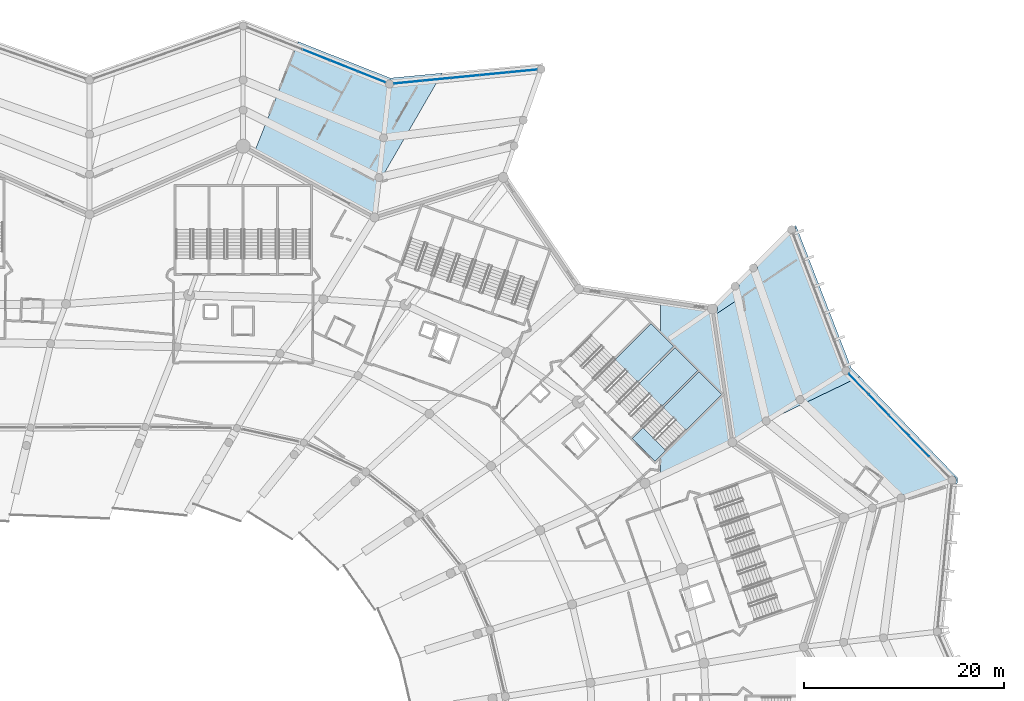
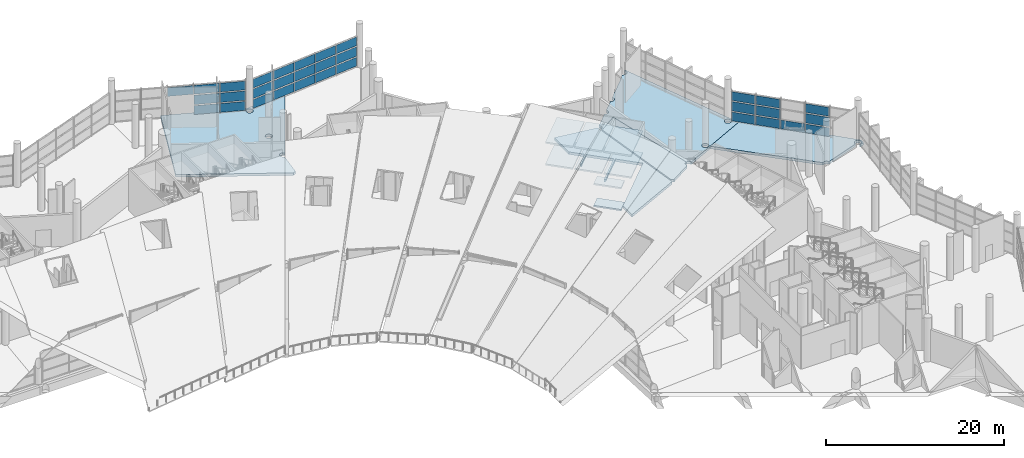
# One storey, part 134 of 249: 32 plates, 13 slabs, 6 elements without a shape of their own.
"""IFC4 building model written with IfcOpenShell, lengths in metres."""

from ifc_helpers import new_model, si_unit, direction, frame, origin, origin_2d, place, context, subcontext, project, spatial, polyline, rectangle, outline, extrude, material, layer, layer_set, type_object, element, aggregate, save


model = new_model("IFC4")

# Units and contexts
model_context = context("Model", 3, precision=1e-05, world=origin(), true_north=direction((0.0, 1.0)))
body_context = subcontext(model_context, "Body", "Model", "MODEL_VIEW")
ifc_project = project(units=[si_unit("LENGTHUNIT", "METRE"), si_unit("AREAUNIT", "SQUARE_METRE"), si_unit("VOLUMEUNIT", "CUBIC_METRE"), si_unit("PLANEANGLEUNIT", "RADIAN"), si_unit("MASSUNIT", "GRAM", prefix="KILO")], contexts=[model_context])

# Site, building, storey
site_placement = place(None, origin())
site = spatial("IfcSite", under=ifc_project, at=site_placement, CompositionType="ELEMENT")
building_placement = place(site_placement, origin())
building = spatial("IfcBuilding", under=site, at=building_placement, Name="Meseta Stadium", CompositionType="ELEMENT")
storey_placement = place(building_placement, frame((0.0, 0.0, 12.0)))
storey = spatial("IfcBuildingStorey", under=building, at=storey_placement, Name="L02", CompositionType="ELEMENT", Elevation=12.0)

# Slabs
ifc_material_1 = material(Name="Concrete C40/50", Category="concrete")
ifc_layer_1 = layer(ifc_material_1, 0.35009765625)
ifc_layer_set_1 = layer_set([ifc_layer_1], Name="Floor slab 350")
slab_type_1 = type_object("IfcSlabType", Name="Floor slab 350", PredefinedType="FLOOR", material=ifc_layer_set_1)
slab_1_placement = place(storey_placement, frame((0.0, 0.0, -0.35009765625)))
element("IfcSlab", 1, at=slab_1_placement, inside=storey, type_object=slab_type_1, Name="Floor slab L02 sector 07 panel 12", PredefinedType="FLOOR", context=body_context, shape_type="SweptSolid", body=[
    extrude(outline(polyline([(86.093017578125, 80.61767578125), (80.0, 74.524658203125), (80.0, 72.48828125), (87.15087890625, 75.856689453125), (85.173583984375, 89.173583984375), (80.0, 89.94189453125), (80.0, 86.710693359375), (81.28466796875, 85.426025390625), (80.0, 84.141357421875), (80.0, 83.858642578125), (81.426025390625, 85.28466796875), (83.688720703125, 83.02197265625), (80.6669921875, 80.0), (80.94970703125, 80.0), (83.830078125, 82.880615234375), (86.093017578125, 80.61767578125)])), origin(), (0.0, 0.0, 1.0), 0.35009765625),
])
slab_2_placement = place(storey_placement, frame((0.0, 0.0, -0.35009765625)))
element("IfcSlab", 2, at=slab_2_placement, inside=storey, type_object=slab_type_1, Name="Ring floor slab L02 2 panel 04", PredefinedType="FLOOR", context=body_context, shape_type="SweptSolid", body=[
    extrude(outline(polyline([(51.323974609375, 98.73291015625), (51.44140625, 98.748291015625), (51.491943359375, 98.74169921875), (51.844482421875, 101.87158203125), (51.784912109375, 101.879638671875), (51.6875, 101.919921875), (51.60400390625, 101.98388671875), (51.539794921875, 102.0673828125), (51.49951171875, 102.164794921875), (51.48583984375, 102.269287109375), (51.49951171875, 102.373779296875), (51.539794921875, 102.470947265625), (51.60400390625, 102.554443359375), (51.6875, 102.61865234375), (51.784912109375, 102.658935546875), (51.889404296875, 102.672607421875), (51.993896484375, 102.658935546875), (52.091064453125, 102.61865234375), (52.174560546875, 102.554443359375), (52.23876953125, 102.470947265625), (52.25732421875, 102.426025390625), (58.19482421875, 112.697998046875), (53.009033203125, 112.206298828125), (43.822509765625, 115.8330078125), (39.49951171875, 104.9384765625), (51.138671875, 98.629150390625), (51.214599609375, 98.6875), (51.323974609375, 98.73291015625)]), holes=[polyline([(52.538330078125, 111.610107421875), (52.552001953125, 111.714599609375), (52.59228515625, 111.81201171875), (52.656494140625, 111.8955078125), (52.739990234375, 111.959716796875), (52.83740234375, 112.0), (52.94189453125, 112.013671875), (53.046142578125, 112.0), (53.1435546875, 111.959716796875), (53.22705078125, 111.8955078125), (53.291259765625, 111.81201171875), (53.33154296875, 111.714599609375), (53.34521484375, 111.610107421875), (53.33154296875, 111.505615234375), (53.291259765625, 111.408447265625), (53.22705078125, 111.324951171875), (53.1435546875, 111.2607421875), (53.046142578125, 111.220458984375), (52.94189453125, 111.206787109375), (52.83740234375, 111.220458984375), (52.739990234375, 111.2607421875), (52.656494140625, 111.324951171875), (52.59228515625, 111.408447265625), (52.552001953125, 111.505615234375), (52.538330078125, 111.610107421875)]), polyline([(52.052001953125, 106.529296875), (52.135498046875, 106.593505859375), (52.23291015625, 106.6337890625), (52.337158203125, 106.647705078125), (52.441650390625, 106.6337890625), (52.538818359375, 106.593505859375), (52.62255859375, 106.529296875), (52.6865234375, 106.44580078125), (52.726806640625, 106.348388671875), (52.740478515625, 106.244140625), (52.726806640625, 106.1396484375), (52.6865234375, 106.04248046875), (52.62255859375, 105.958740234375), (52.538818359375, 105.894775390625), (52.441650390625, 105.8544921875), (52.337158203125, 105.8408203125), (52.23291015625, 105.8544921875), (52.135498046875, 105.894775390625), (52.052001953125, 105.958740234375), (51.98779296875, 106.04248046875), (51.947509765625, 106.1396484375), (51.93359375, 106.244140625), (51.947509765625, 106.348388671875), (51.98779296875, 106.44580078125), (52.052001953125, 106.529296875)])]), origin(), (0.0, 0.0, 1.0), 0.35009765625),
])
slab_3_placement = place(storey_placement, frame((0.0, 0.0, -0.35009765625)))
element("IfcSlab", 3, at=slab_3_placement, inside=storey, type_object=slab_type_1, Name="Ring floor slab L02 1 part 1 panel 01", PredefinedType="FLOOR", context=body_context, shape_type="SweptSolid", body=[
    extrude(outline(polyline([(90.447021484375, 78.37646484375), (87.729248046875, 90.11767578125), (85.4169921875, 88.556640625), (87.23681640625, 76.29931640625), (87.268310546875, 76.295166015625), (87.377685546875, 76.249755859375), (87.4716796875, 76.177734375), (87.533447265625, 76.097412109375), (90.197509765625, 77.771240234375), (90.188232421875, 77.783203125), (90.14794921875, 77.880615234375), (90.13427734375, 77.98486328125), (90.14794921875, 78.08935546875), (90.188232421875, 78.1865234375), (90.25244140625, 78.270263671875), (90.3359375, 78.334228515625), (90.433349609375, 78.37451171875), (90.447021484375, 78.37646484375)])), origin(), (0.0, 0.0, 1.0), 0.35009765625),
])
slab_4_placement = place(storey_placement, frame((0.0, 0.0, -0.35009765625)))
element("IfcSlab", 4, at=slab_4_placement, inside=storey, type_object=slab_type_1, Name="Ring floor slab L02 1 part 1 panel 02", PredefinedType="FLOOR", context=body_context, shape_type="SweptSolid", body=[
    extrude(outline(polyline([(89.052978515625, 92.905517578125), (89.003173828125, 92.94384765625), (87.7373046875, 91.67822265625), (87.77587890625, 91.628173828125), (87.816162109375, 91.53076171875), (87.829833984375, 91.426513671875), (87.816162109375, 91.322021484375), (87.77587890625, 91.224609375), (87.711669921875, 91.14111328125), (87.628173828125, 91.076904296875), (87.53076171875, 91.03662109375), (87.426513671875, 91.02294921875), (87.322021484375, 91.03662109375), (87.224609375, 91.076904296875), (87.174560546875, 91.115478515625), (85.555908203125, 89.496826171875), (85.610595703125, 89.42578125), (85.660888671875, 89.30419921875), (85.677978515625, 89.173583984375), (85.660888671875, 89.043212890625), (85.610595703125, 88.921630859375), (85.5302734375, 88.817138671875), (85.42578125, 88.737060546875), (85.392333984375, 88.722900390625), (85.4169921875, 88.556640625), (87.729248046875, 90.11767578125), (90.447021484375, 78.37646484375), (90.53759765625, 78.38818359375), (90.64208984375, 78.37451171875), (90.739501953125, 78.334228515625), (90.822998046875, 78.270263671875), (90.88720703125, 78.1865234375), (90.924560546875, 78.09619140625), (99.877197265625, 82.401611328125), (99.0048828125, 83.30517578125), (93.49755859375, 97.49755859375), (93.3583984375, 97.3583984375), (93.422607421875, 97.27490234375), (93.462890625, 97.177490234375), (93.476806640625, 97.0732421875), (93.462890625, 96.96875), (93.422607421875, 96.87158203125), (93.3583984375, 96.787841796875), (93.27490234375, 96.723876953125), (93.217041015625, 96.69970703125), (93.177490234375, 96.68359375), (93.0732421875, 96.669921875), (92.96875, 96.68359375), (92.87158203125, 96.723876953125), (92.787841796875, 96.787841796875), (92.12841796875, 96.12841796875), (92.16064453125, 96.101318359375), (89.56591796875, 93.506591796875), (89.604248046875, 93.45654296875), (89.64453125, 93.359375), (89.658203125, 93.2548828125), (89.64453125, 93.150390625), (89.604248046875, 93.052978515625), (89.5400390625, 92.969482421875), (89.45654296875, 92.905517578125), (89.359375, 92.864990234375), (89.2548828125, 92.851318359375), (89.150390625, 92.864990234375), (89.052978515625, 92.905517578125)]), holes=[polyline([(94.327880859375, 80.113037109375), (94.314208984375, 80.008544921875), (94.27392578125, 79.911376953125), (94.2099609375, 79.82763671875), (94.126220703125, 79.763671875), (94.029052734375, 79.723388671875), (93.924560546875, 79.709716796875), (93.8203125, 79.723388671875), (93.722900390625, 79.763671875), (93.639404296875, 79.82763671875), (93.5751953125, 79.911376953125), (93.534912109375, 80.008544921875), (93.52099609375, 80.113037109375), (93.534912109375, 80.21728515625), (93.5751953125, 80.314697265625), (93.639404296875, 80.398193359375), (93.722900390625, 80.46240234375), (93.8203125, 80.502685546875), (93.924560546875, 80.5166015625), (94.029052734375, 80.502685546875), (94.126220703125, 80.46240234375), (94.2099609375, 80.398193359375), (94.27392578125, 80.314697265625), (94.314208984375, 80.21728515625), (94.327880859375, 80.113037109375)]), polyline([(98.7822265625, 83.271240234375), (98.84619140625, 83.187744140625), (98.88671875, 83.09033203125), (98.900390625, 82.986083984375), (98.88671875, 82.881591796875), (98.84619140625, 82.7841796875), (98.7822265625, 82.70068359375), (98.698486328125, 82.63671875), (98.601318359375, 82.59619140625), (98.496826171875, 82.58251953125), (98.392578125, 82.59619140625), (98.295166015625, 82.63671875), (98.211669921875, 82.70068359375), (98.1474609375, 82.7841796875), (98.107177734375, 82.881591796875), (98.093505859375, 82.986083984375), (98.107177734375, 83.09033203125), (98.1474609375, 83.187744140625), (98.211669921875, 83.271240234375), (98.295166015625, 83.33544921875), (98.392578125, 83.375732421875), (98.496826171875, 83.389404296875), (98.601318359375, 83.375732421875), (98.698486328125, 83.33544921875), (98.7822265625, 83.271240234375)])]), origin(), (0.0, 0.0, 1.0), 0.35009765625),
])
slab_5_placement = place(storey_placement, frame((0.0, 0.0, -0.35009765625)))
element("IfcSlab", 5, at=slab_5_placement, inside=storey, type_object=slab_type_1, Name="Ring floor slab L02 1 part 1 panel 05", PredefinedType="FLOOR", context=body_context, shape_type="SweptSolid", body=[
    extrude(outline(polyline([(104.094482421875, 70.681396484375), (104.191650390625, 70.64111328125), (104.275146484375, 70.576904296875), (104.33935546875, 70.493408203125), (104.3681640625, 70.423828125), (108.708740234375, 71.94287109375), (108.697265625, 71.970703125), (108.68359375, 72.0751953125), (108.697265625, 72.179443359375), (108.737548828125, 72.27685546875), (108.801513671875, 72.3603515625), (108.88525390625, 72.424560546875), (108.982421875, 72.46484375), (109.0869140625, 72.478515625), (109.19140625, 72.46484375), (109.28857421875, 72.424560546875), (109.372314453125, 72.3603515625), (109.436279296875, 72.27685546875), (109.4765625, 72.179443359375), (109.490478515625, 72.0751953125), (109.4765625, 71.970703125), (109.436279296875, 71.873291015625), (109.372314453125, 71.789794921875), (109.28857421875, 71.7255859375), (109.19140625, 71.685302734375), (109.0869140625, 71.671630859375), (109.048095703125, 71.6767578125), (109.03564453125, 71.54931640625), (109.601318359375, 71.726806640625), (109.6533203125, 72.273193359375), (99.877197265625, 82.401611328125), (94.31884765625, 79.728515625), (103.70166015625, 70.572998046875), (103.70458984375, 70.576904296875), (103.7880859375, 70.64111328125), (103.885498046875, 70.681396484375), (103.989990234375, 70.695068359375), (104.094482421875, 70.681396484375)])), origin(), (0.0, 0.0, 1.0), 0.35009765625),
])

# Curtain wall, plates
ifc_material_2 = material(Name="Aluminium", Category="aluminium")
ifc_layer_2 = layer(ifc_material_2, 0.199951171875)
ifc_layer_set_2 = layer_set([ifc_layer_2], Name="Ring shopfront curtain wall")
curtain_wall_type = type_object("IfcCurtainWallType", Name="Ring shopfront curtain wall", PredefinedType="NOTDEFINED", material=ifc_layer_set_2)
curtain_wall_1_placement = place(storey_placement, origin())
curtain_wall_1 = element("IfcCurtainWall", 6, at=curtain_wall_1_placement, inside=storey, type_object=curtain_wall_type, Name="Ring glazing L02 F10", PredefinedType="NOTDEFINED")
ifc_material_3 = material(Name="Glass", Category="glass")
ifc_layer_3 = layer(ifc_material_3, 0.035888671875)
ifc_layer_set_3 = layer_set([ifc_layer_3], Name="Ring CW glass panel 36")
plate_type = type_object("IfcPlateType", Name="Ring CW glass panel 36", PredefinedType="CURTAIN_PANEL", material=ifc_layer_set_3)
plate_1_placement = place(storey_placement, frame((105.79833984375, 75.463134765625, 0.14990234375), z_axis=(0.0, 0.0, 1.0), x_axis=(-0.6964727488, 0.717583242683, 0.0)))
plate_1 = element("IfcPlate", 7, at=plate_1_placement, type_object=plate_type, Name="CWR1 panel 2.1", PredefinedType="CURTAIN_PANEL", context=body_context, shape_type="SweptSolid", body=[
    extrude(rectangle(XDim=2.821044921875, YDim=0.035888671875, at=origin_2d()), origin(), (0.0, 0.0, 1.0), 1.208251953125),
])
plate_2_placement = place(storey_placement, frame((105.79833984375, 75.463134765625, 1.50830078125), z_axis=(0.0, 0.0, 1.0), x_axis=(-0.6964727488, 0.717583242683, 0.0)))
plate_2 = element("IfcPlate", 8, at=plate_2_placement, type_object=plate_type, Name="CWR1 panel 2.2", PredefinedType="CURTAIN_PANEL", context=body_context, shape_type="SweptSolid", body=[
    extrude(rectangle(XDim=2.821044921875, YDim=0.035888671875, at=origin_2d()), origin(), (0.0, 0.0, 1.0), 1.283447265625),
])
plate_3_placement = place(storey_placement, frame((105.79833984375, 75.463134765625, 2.94189453125), z_axis=(0.0, 0.0, 1.0), x_axis=(-0.6964727488, 0.717583242683, 0.0)))
plate_3 = element("IfcPlate", 9, at=plate_3_placement, type_object=plate_type, Name="CWR1 panel 2.3", PredefinedType="CURTAIN_PANEL", context=body_context, shape_type="SweptSolid", body=[
    extrude(rectangle(XDim=2.821044921875, YDim=0.035888671875, at=origin_2d()), origin(), (0.0, 0.0, 1.0), 1.208251953125),
])
plate_4_placement = place(storey_placement, frame((103.7919921875, 77.530517578125, 0.14990234375), z_axis=(0.0, 0.0, 1.0), x_axis=(-0.6964727488, 0.717583242683, 0.0)))
plate_4 = element("IfcPlate", 10, at=plate_4_placement, type_object=plate_type, Name="CWR1 panel 3.1", PredefinedType="CURTAIN_PANEL", context=body_context, shape_type="SweptSolid", body=[
    extrude(rectangle(XDim=2.821044921875, YDim=0.035888671875, at=origin_2d()), origin(), (0.0, 0.0, 1.0), 1.208251953125),
])
plate_5_placement = place(storey_placement, frame((101.785400390625, 79.597900390625, 0.14990234375), z_axis=(0.0, 0.0, 1.0), x_axis=(-0.6964727488, 0.717583242683, 0.0)))
plate_5 = element("IfcPlate", 11, at=plate_5_placement, type_object=plate_type, Name="CWR1 panel 4.1", PredefinedType="CURTAIN_PANEL", context=body_context, shape_type="SweptSolid", body=[
    extrude(rectangle(XDim=2.821044921875, YDim=0.035888671875, at=origin_2d()), origin(), (0.0, 0.0, 1.0), 1.208251953125),
])
plate_6_placement = place(storey_placement, frame((101.785400390625, 79.597900390625, 1.50830078125), z_axis=(0.0, 0.0, 1.0), x_axis=(-0.6964727488, 0.717583242683, 0.0)))
plate_6 = element("IfcPlate", 12, at=plate_6_placement, type_object=plate_type, Name="CWR1 panel 4.2", PredefinedType="CURTAIN_PANEL", context=body_context, shape_type="SweptSolid", body=[
    extrude(rectangle(XDim=2.821044921875, YDim=0.035888671875, at=origin_2d()), origin(), (0.0, 0.0, 1.0), 1.283447265625),
])
plate_7_placement = place(storey_placement, frame((101.785400390625, 79.597900390625, 2.94189453125), z_axis=(0.0, 0.0, 1.0), x_axis=(-0.6964727488, 0.717583242683, 0.0)))
plate_7 = element("IfcPlate", 13, at=plate_7_placement, type_object=plate_type, Name="CWR1 panel 4.3", PredefinedType="CURTAIN_PANEL", context=body_context, shape_type="SweptSolid", body=[
    extrude(rectangle(XDim=2.821044921875, YDim=0.035888671875, at=origin_2d()), origin(), (0.0, 0.0, 1.0), 1.208251953125),
])
plate_8_placement = place(storey_placement, frame((99.789306640625, 81.654541015625, 0.14990234375), z_axis=(0.0, 0.0, 1.0), x_axis=(-0.6964727488, 0.717583242683, 0.0)))
plate_8 = element("IfcPlate", 14, at=plate_8_placement, type_object=plate_type, Name="CWR1 panel 5.1", PredefinedType="CURTAIN_PANEL", context=body_context, shape_type="SweptSolid", body=[
    extrude(rectangle(XDim=2.791015625, YDim=0.035888671875, at=origin_2d()), origin(), (0.0, 0.0, 1.0), 1.208251953125),
])
plate_9_placement = place(storey_placement, frame((99.789306640625, 81.654541015625, 1.50830078125), z_axis=(0.0, 0.0, 1.0), x_axis=(-0.6964727488, 0.717583242683, 0.0)))
plate_9 = element("IfcPlate", 15, at=plate_9_placement, type_object=plate_type, Name="CWR1 panel 5.2", PredefinedType="CURTAIN_PANEL", context=body_context, shape_type="SweptSolid", body=[
    extrude(rectangle(XDim=2.791015625, YDim=0.035888671875, at=origin_2d()), origin(), (0.0, 0.0, 1.0), 1.283447265625),
])
plate_10_placement = place(storey_placement, frame((99.789306640625, 81.654541015625, 2.94189453125), z_axis=(0.0, 0.0, 1.0), x_axis=(-0.6964727488, 0.717583242683, 0.0)))
plate_10 = element("IfcPlate", 16, at=plate_10_placement, type_object=plate_type, Name="CWR1 panel 5.3", PredefinedType="CURTAIN_PANEL", context=body_context, shape_type="SweptSolid", body=[
    extrude(rectangle(XDim=2.791015625, YDim=0.035888671875, at=origin_2d()), origin(), (0.0, 0.0, 1.0), 1.208251953125),
])
aggregate(curtain_wall_1, [plate_1, plate_2, plate_3, plate_4, plate_5, plate_6, plate_7, plate_8, plate_9, plate_10])

curtain_wall_2_placement = place(storey_placement, origin())
curtain_wall_2 = element("IfcCurtainWall", 17, at=curtain_wall_2_placement, inside=storey, type_object=curtain_wall_type, Name="Ring glazing L02 F14", PredefinedType="NOTDEFINED")
plate_11_placement = place(storey_placement, frame((66.228271484375, 112.90673828125, 0.14990234375), z_axis=(0.0, 0.0, 1.0), x_axis=(-0.995272228282, -0.097124618973, 0.0)))
plate_11 = element("IfcPlate", 18, at=plate_11_placement, type_object=plate_type, Name="CWR1 panel 1.1", PredefinedType="CURTAIN_PANEL", context=body_context, shape_type="SweptSolid", body=[
    extrude(rectangle(XDim=2.791015625, YDim=0.035888671875, at=origin_2d()), origin(), (0.0, 0.0, 1.0), 1.208251953125),
])
plate_12_placement = place(storey_placement, frame((66.228271484375, 112.90673828125, 1.50830078125), z_axis=(0.0, 0.0, 1.0), x_axis=(-0.995272228282, -0.097124618973, 0.0)))
plate_12 = element("IfcPlate", 19, at=plate_12_placement, type_object=plate_type, Name="CWR1 panel 1.2", PredefinedType="CURTAIN_PANEL", context=body_context, shape_type="SweptSolid", body=[
    extrude(rectangle(XDim=2.791015625, YDim=0.035888671875, at=origin_2d()), origin(), (0.0, 0.0, 1.0), 1.283447265625),
])
plate_13_placement = place(storey_placement, frame((66.228271484375, 112.90673828125, 2.94189453125), z_axis=(0.0, 0.0, 1.0), x_axis=(-0.995272228282, -0.097124618973, 0.0)))
plate_13 = element("IfcPlate", 20, at=plate_13_placement, type_object=plate_type, Name="CWR1 panel 1.3", PredefinedType="CURTAIN_PANEL", context=body_context, shape_type="SweptSolid", body=[
    extrude(rectangle(XDim=2.791015625, YDim=0.035888671875, at=origin_2d()), origin(), (0.0, 0.0, 1.0), 1.208251953125),
])
plate_14_placement = place(storey_placement, frame((63.3759765625, 112.62841796875, 0.14990234375), z_axis=(0.0, 0.0, 1.0), x_axis=(-0.995272228282, -0.097124618973, 0.0)))
plate_14 = element("IfcPlate", 21, at=plate_14_placement, type_object=plate_type, Name="CWR1 panel 2.1", PredefinedType="CURTAIN_PANEL", context=body_context, shape_type="SweptSolid", body=[
    extrude(rectangle(XDim=2.821044921875, YDim=0.035888671875, at=origin_2d()), origin(), (0.0, 0.0, 1.0), 1.208251953125),
])
plate_15_placement = place(storey_placement, frame((63.3759765625, 112.62841796875, 1.50830078125), z_axis=(0.0, 0.0, 1.0), x_axis=(-0.995272228282, -0.097124618973, 0.0)))
plate_15 = element("IfcPlate", 22, at=plate_15_placement, type_object=plate_type, Name="CWR1 panel 2.2", PredefinedType="CURTAIN_PANEL", context=body_context, shape_type="SweptSolid", body=[
    extrude(rectangle(XDim=2.821044921875, YDim=0.035888671875, at=origin_2d()), origin(), (0.0, 0.0, 1.0), 1.283447265625),
])
plate_16_placement = place(storey_placement, frame((63.3759765625, 112.62841796875, 2.94189453125), z_axis=(0.0, 0.0, 1.0), x_axis=(-0.995272228282, -0.097124618973, 0.0)))
plate_16 = element("IfcPlate", 23, at=plate_16_placement, type_object=plate_type, Name="CWR1 panel 2.3", PredefinedType="CURTAIN_PANEL", context=body_context, shape_type="SweptSolid", body=[
    extrude(rectangle(XDim=2.821044921875, YDim=0.035888671875, at=origin_2d()), origin(), (0.0, 0.0, 1.0), 1.208251953125),
])
plate_17_placement = place(storey_placement, frame((60.508544921875, 112.3486328125, 0.14990234375), z_axis=(0.0, 0.0, 1.0), x_axis=(-0.995272228282, -0.097124618973, 0.0)))
plate_17 = element("IfcPlate", 24, at=plate_17_placement, type_object=plate_type, Name="CWR1 panel 3.1", PredefinedType="CURTAIN_PANEL", context=body_context, shape_type="SweptSolid", body=[
    extrude(rectangle(XDim=2.821044921875, YDim=0.035888671875, at=origin_2d()), origin(), (0.0, 0.0, 1.0), 1.208251953125),
])
plate_18_placement = place(storey_placement, frame((60.508544921875, 112.3486328125, 1.50830078125), z_axis=(0.0, 0.0, 1.0), x_axis=(-0.995272228282, -0.097124618973, 0.0)))
plate_18 = element("IfcPlate", 25, at=plate_18_placement, type_object=plate_type, Name="CWR1 panel 3.2", PredefinedType="CURTAIN_PANEL", context=body_context, shape_type="SweptSolid", body=[
    extrude(rectangle(XDim=2.821044921875, YDim=0.035888671875, at=origin_2d()), origin(), (0.0, 0.0, 1.0), 1.283447265625),
])
plate_19_placement = place(storey_placement, frame((60.508544921875, 112.3486328125, 2.94189453125), z_axis=(0.0, 0.0, 1.0), x_axis=(-0.995272228282, -0.097124618973, 0.0)))
plate_19 = element("IfcPlate", 26, at=plate_19_placement, type_object=plate_type, Name="CWR1 panel 3.3", PredefinedType="CURTAIN_PANEL", context=body_context, shape_type="SweptSolid", body=[
    extrude(rectangle(XDim=2.821044921875, YDim=0.035888671875, at=origin_2d()), origin(), (0.0, 0.0, 1.0), 1.208251953125),
])
plate_20_placement = place(storey_placement, frame((57.64111328125, 112.06884765625, 0.14990234375), z_axis=(0.0, 0.0, 1.0), x_axis=(-0.995272228282, -0.097124618973, 0.0)))
plate_20 = element("IfcPlate", 27, at=plate_20_placement, type_object=plate_type, Name="CWR1 panel 4.1", PredefinedType="CURTAIN_PANEL", context=body_context, shape_type="SweptSolid", body=[
    extrude(rectangle(XDim=2.821044921875, YDim=0.035888671875, at=origin_2d()), origin(), (0.0, 0.0, 1.0), 1.208251953125),
])
plate_21_placement = place(storey_placement, frame((57.64111328125, 112.06884765625, 1.50830078125), z_axis=(0.0, 0.0, 1.0), x_axis=(-0.995272228282, -0.097124618973, 0.0)))
plate_21 = element("IfcPlate", 28, at=plate_21_placement, type_object=plate_type, Name="CWR1 panel 4.2", PredefinedType="CURTAIN_PANEL", context=body_context, shape_type="SweptSolid", body=[
    extrude(rectangle(XDim=2.821044921875, YDim=0.035888671875, at=origin_2d()), origin(), (0.0, 0.0, 1.0), 1.283447265625),
])
plate_22_placement = place(storey_placement, frame((57.64111328125, 112.06884765625, 2.94189453125), z_axis=(0.0, 0.0, 1.0), x_axis=(-0.995272228282, -0.097124618973, 0.0)))
plate_22 = element("IfcPlate", 29, at=plate_22_placement, type_object=plate_type, Name="CWR1 panel 4.3", PredefinedType="CURTAIN_PANEL", context=body_context, shape_type="SweptSolid", body=[
    extrude(rectangle(XDim=2.821044921875, YDim=0.035888671875, at=origin_2d()), origin(), (0.0, 0.0, 1.0), 1.208251953125),
])
plate_23_placement = place(storey_placement, frame((54.78857421875, 111.790283203125, 0.14990234375), z_axis=(0.0, 0.0, 1.0), x_axis=(-0.995272228282, -0.097124618973, 0.0)))
plate_23 = element("IfcPlate", 30, at=plate_23_placement, type_object=plate_type, Name="CWR1 panel 5.1", PredefinedType="CURTAIN_PANEL", context=body_context, shape_type="SweptSolid", body=[
    extrude(rectangle(XDim=2.791015625, YDim=0.035888671875, at=origin_2d()), origin(), (0.0, 0.0, 1.0), 1.208251953125),
])
plate_24_placement = place(storey_placement, frame((54.78857421875, 111.790283203125, 1.50830078125), z_axis=(0.0, 0.0, 1.0), x_axis=(-0.995272228282, -0.097124618973, 0.0)))
plate_24 = element("IfcPlate", 31, at=plate_24_placement, type_object=plate_type, Name="CWR1 panel 5.2", PredefinedType="CURTAIN_PANEL", context=body_context, shape_type="SweptSolid", body=[
    extrude(rectangle(XDim=2.791015625, YDim=0.035888671875, at=origin_2d()), origin(), (0.0, 0.0, 1.0), 1.283447265625),
])
plate_25_placement = place(storey_placement, frame((54.78857421875, 111.790283203125, 2.94189453125), z_axis=(0.0, 0.0, 1.0), x_axis=(-0.995272228282, -0.097124618973, 0.0)))
plate_25 = element("IfcPlate", 32, at=plate_25_placement, type_object=plate_type, Name="CWR1 panel 5.3", PredefinedType="CURTAIN_PANEL", context=body_context, shape_type="SweptSolid", body=[
    extrude(rectangle(XDim=2.791015625, YDim=0.035888671875, at=origin_2d()), origin(), (0.0, 0.0, 1.0), 1.208251953125),
])
aggregate(curtain_wall_2, [plate_11, plate_12, plate_13, plate_14, plate_15, plate_16, plate_17, plate_18, plate_19, plate_20, plate_21, plate_22, plate_23, plate_24, plate_25])

curtain_wall_3_placement = place(storey_placement, origin())
curtain_wall_3 = element("IfcCurtainWall", 33, at=curtain_wall_3_placement, inside=storey, type_object=curtain_wall_type, Name="Ring glazing L02 F15", PredefinedType="NOTDEFINED")
plate_26_placement = place(storey_placement, frame((51.16943359375, 112.3125, 0.14990234375), z_axis=(0.0, 0.0, 1.0), x_axis=(-0.929646142614, 0.368453592088, 0.0)))
plate_26 = element("IfcPlate", 34, at=plate_26_placement, type_object=plate_type, Name="CWR1 panel 1.1", PredefinedType="CURTAIN_PANEL", context=body_context, shape_type="SweptSolid", body=[
    extrude(rectangle(XDim=2.892822265625, YDim=0.035888671875, at=origin_2d()), origin(), (0.0, 0.0, 1.0), 1.208251953125),
])
plate_27_placement = place(storey_placement, frame((51.16943359375, 112.3125, 1.50830078125), z_axis=(0.0, 0.0, 1.0), x_axis=(-0.929646142614, 0.368453592088, 0.0)))
plate_27 = element("IfcPlate", 35, at=plate_27_placement, type_object=plate_type, Name="CWR1 panel 1.2", PredefinedType="CURTAIN_PANEL", context=body_context, shape_type="SweptSolid", body=[
    extrude(rectangle(XDim=2.892822265625, YDim=0.035888671875, at=origin_2d()), origin(), (0.0, 0.0, 1.0), 1.283447265625),
])
plate_28_placement = place(storey_placement, frame((51.16943359375, 112.3125, 2.94189453125), z_axis=(0.0, 0.0, 1.0), x_axis=(-0.929646142614, 0.368453592088, 0.0)))
plate_28 = element("IfcPlate", 36, at=plate_28_placement, type_object=plate_type, Name="CWR1 panel 1.3", PredefinedType="CURTAIN_PANEL", context=body_context, shape_type="SweptSolid", body=[
    extrude(rectangle(XDim=2.892822265625, YDim=0.035888671875, at=origin_2d()), origin(), (0.0, 0.0, 1.0), 1.208251953125),
])
plate_29_placement = place(storey_placement, frame((48.410400390625, 113.406005859375, 0.14990234375), z_axis=(0.0, 0.0, 1.0), x_axis=(-0.929646142614, 0.368453592088, 0.0)))
plate_29 = element("IfcPlate", 37, at=plate_29_placement, type_object=plate_type, Name="CWR1 panel 2.1", PredefinedType="CURTAIN_PANEL", context=body_context, shape_type="SweptSolid", body=[
    extrude(rectangle(XDim=2.9228515625, YDim=0.035888671875, at=origin_2d()), origin(), (0.0, 0.0, 1.0), 1.208251953125),
])
plate_30_placement = place(storey_placement, frame((48.410400390625, 113.406005859375, 1.50830078125), z_axis=(0.0, 0.0, 1.0), x_axis=(-0.929646142614, 0.368453592088, 0.0)))
plate_30 = element("IfcPlate", 38, at=plate_30_placement, type_object=plate_type, Name="CWR1 panel 2.2", PredefinedType="CURTAIN_PANEL", context=body_context, shape_type="SweptSolid", body=[
    extrude(rectangle(XDim=2.9228515625, YDim=0.035888671875, at=origin_2d()), origin(), (0.0, 0.0, 1.0), 1.283447265625),
])
plate_31_placement = place(storey_placement, frame((48.410400390625, 113.406005859375, 2.94189453125), z_axis=(0.0, 0.0, 1.0), x_axis=(-0.929646142614, 0.368453592088, 0.0)))
plate_31 = element("IfcPlate", 39, at=plate_31_placement, type_object=plate_type, Name="CWR1 panel 2.3", PredefinedType="CURTAIN_PANEL", context=body_context, shape_type="SweptSolid", body=[
    extrude(rectangle(XDim=2.9228515625, YDim=0.035888671875, at=origin_2d()), origin(), (0.0, 0.0, 1.0), 1.208251953125),
])
plate_32_placement = place(storey_placement, frame((45.637451171875, 114.505126953125, 2.94189453125), z_axis=(0.0, 0.0, 1.0), x_axis=(-0.929646142614, 0.368453592088, 0.0)))
plate_32 = element("IfcPlate", 40, at=plate_32_placement, type_object=plate_type, Name="CWR1 panel 3.3", PredefinedType="CURTAIN_PANEL", context=body_context, shape_type="SweptSolid", body=[
    extrude(rectangle(XDim=2.9228515625, YDim=0.035888671875, at=origin_2d()), origin(), (0.0, 0.0, 1.0), 1.208251953125),
])
aggregate(curtain_wall_3, [plate_26, plate_27, plate_28, plate_29, plate_30, plate_31, plate_32])

# Stair, slabs
ifc_material_4 = material(Name="Concrete C40/50", Category="concrete")
stair_type = type_object("IfcStairType", Name="Exit stair 4 flights 150 mm risers", PredefinedType="HALF_TURN_STAIR", material=ifc_material_4)
stair_1_placement = place(storey_placement, origin())
stair_1 = element("IfcStair", 41, at=stair_1_placement, inside=storey, type_object=stair_type, Name="ST25 L02", PredefinedType="HALF_TURN_STAIR")
ifc_material_5 = material(Name="Concrete C40/50", Category="concrete")
ifc_layer_4 = layer(ifc_material_5, 0.199951171875)
ifc_layer_set_4 = layer_set([ifc_layer_4], Name="Stair landing 200")
slab_type_2 = type_object("IfcSlabType", Name="Stair landing 200", PredefinedType="LANDING", material=ifc_layer_set_4)
slab_6_placement = place(storey_placement, frame((0.0, 0.0, 1.300048828125)))
slab_6 = element("IfcSlab", 42, at=slab_6_placement, type_object=slab_type_2, Name="ST25 L02 landing 1", PredefinedType="LANDING", context=body_context, shape_type="SweptSolid", body=[
    extrude(outline(polyline([(82.5361328125, 77.06103515625), (86.093017578125, 80.61767578125), (83.830322265625, 82.88037109375), (80.2734375, 79.32373046875), (82.5361328125, 77.06103515625)])), origin(), (0.0, 0.0, 1.0), 0.199951171875),
])
slab_7_placement = place(storey_placement, frame((0.0, 0.0, 2.800048828125)))
slab_7 = element("IfcSlab", 43, at=slab_7_placement, type_object=slab_type_2, Name="ST25 L02 landing 2", PredefinedType="LANDING", context=body_context, shape_type="SweptSolid", body=[
    extrude(outline(polyline([(79.446044921875, 73.970947265625), (80.513916015625, 75.03857421875), (78.251220703125, 77.301513671875), (77.183349609375, 76.233642578125), (79.446044921875, 73.970947265625)])), origin(), (0.0, 0.0, 1.0), 0.199951171875),
])
slab_8_placement = place(storey_placement, frame((0.0, 0.0, 4.300048828125)))
slab_8 = element("IfcSlab", 44, at=slab_8_placement, type_object=slab_type_2, Name="ST25 L02 landing 3", PredefinedType="LANDING", context=body_context, shape_type="SweptSolid", body=[
    extrude(outline(polyline([(82.5361328125, 77.06103515625), (86.093017578125, 80.61767578125), (83.830322265625, 82.88037109375), (80.2734375, 79.32373046875), (82.5361328125, 77.06103515625)])), origin(), (0.0, 0.0, 1.0), 0.199951171875),
])
slab_9_placement = place(storey_placement, frame((0.0, 0.0, -0.199951171875)))
slab_9 = element("IfcSlab", 45, at=slab_9_placement, type_object=slab_type_2, Name="ST25 L02 landing 4", PredefinedType="LANDING", context=body_context, shape_type="SweptSolid", body=[
    extrude(outline(polyline([(79.4462890625, 73.970947265625), (79.988037109375, 74.5126953125), (79.988037109375, 74.524658203125), (79.988037109375, 74.52587890625), (79.98828125, 74.527099609375), (79.988525390625, 74.5283203125), (79.989013671875, 74.529296875), (79.989501953125, 74.530517578125), (79.989990234375, 74.531494140625), (79.99072265625, 74.5322265625), (79.991455078125, 74.533203125), (80.50537109375, 75.047119140625), (78.251220703125, 77.301513671875), (77.183349609375, 76.233642578125), (79.4462890625, 73.970947265625)])), origin(), (0.0, 0.0, 1.0), 0.199951171875),
])
aggregate(stair_1, [slab_6, slab_7, slab_8, slab_9])

stair_2_placement = place(storey_placement, origin())
stair_2 = element("IfcStair", 46, at=stair_2_placement, inside=storey, type_object=stair_type, Name="ST26 L02", PredefinedType="HALF_TURN_STAIR")
slab_10_placement = place(storey_placement, frame((0.0, 0.0, 1.300048828125)))
slab_10 = element("IfcSlab", 47, at=slab_10_placement, type_object=slab_type_2, Name="ST26 L02 landing 1", PredefinedType="LANDING", context=body_context, shape_type="SweptSolid", body=[
    extrude(outline(polyline([(80.132080078125, 79.465087890625), (83.688720703125, 83.02197265625), (81.426025390625, 85.28466796875), (77.869384765625, 81.727783203125), (80.132080078125, 79.465087890625)])), origin(), (0.0, 0.0, 1.0), 0.199951171875),
])
slab_11_placement = place(storey_placement, frame((0.0, 0.0, 4.300048828125)))
slab_11 = element("IfcSlab", 48, at=slab_11_placement, type_object=slab_type_2, Name="ST26 L02 landing 3", PredefinedType="LANDING", context=body_context, shape_type="SweptSolid", body=[
    extrude(outline(polyline([(80.132080078125, 79.465087890625), (83.688720703125, 83.02197265625), (81.426025390625, 85.28466796875), (77.869384765625, 81.727783203125), (80.132080078125, 79.465087890625)])), origin(), (0.0, 0.0, 1.0), 0.199951171875),
])
aggregate(stair_2, [slab_10, slab_11])

stair_3_placement = place(storey_placement, origin())
stair_3 = element("IfcStair", 49, at=stair_3_placement, inside=storey, type_object=stair_type, Name="ST27 L02", PredefinedType="HALF_TURN_STAIR")
slab_12_placement = place(storey_placement, frame((0.0, 0.0, 1.300048828125)))
slab_12 = element("IfcSlab", 50, at=slab_12_placement, type_object=slab_type_2, Name="ST27 L02 landing 1", PredefinedType="LANDING", context=body_context, shape_type="SweptSolid", body=[
    extrude(outline(polyline([(77.727783203125, 81.869384765625), (81.28466796875, 85.426025390625), (79.02197265625, 87.688720703125), (75.465087890625, 84.132080078125), (77.727783203125, 81.869384765625)])), origin(), (0.0, 0.0, 1.0), 0.199951171875),
])
slab_13_placement = place(storey_placement, frame((0.0, 0.0, 4.300048828125)))
slab_13 = element("IfcSlab", 51, at=slab_13_placement, type_object=slab_type_2, Name="ST27 L02 landing 3", PredefinedType="LANDING", context=body_context, shape_type="SweptSolid", body=[
    extrude(outline(polyline([(77.727783203125, 81.869384765625), (81.28466796875, 85.426025390625), (79.02197265625, 87.688720703125), (75.465087890625, 84.132080078125), (77.727783203125, 81.869384765625)])), origin(), (0.0, 0.0, 1.0), 0.199951171875),
])
aggregate(stair_3, [slab_12, slab_13])

save(model, "model.ifc")
